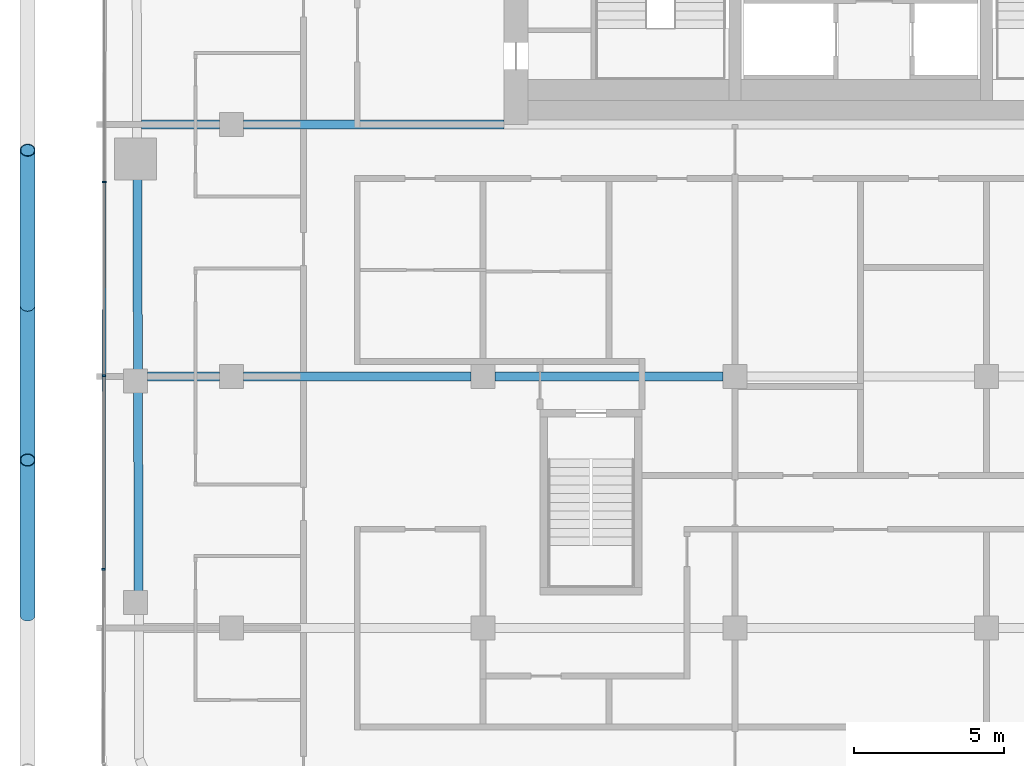
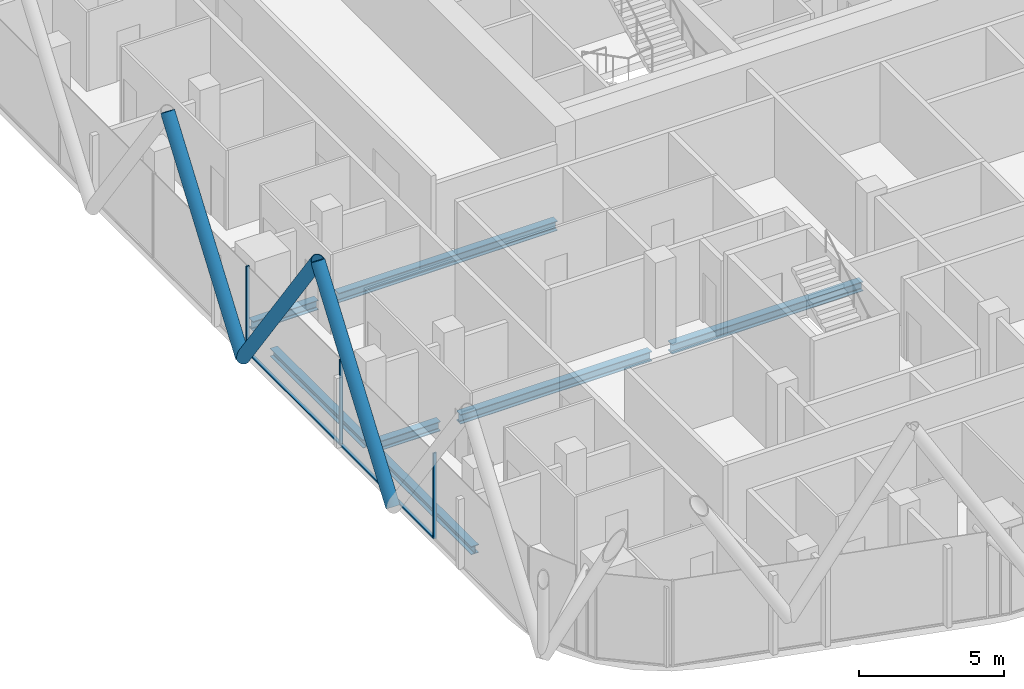
# One storey, part 4 of 28: 8 members, 7 beams, 1 element without a shape of its own.
"""IFC4 building model written with IfcOpenShell, lengths in metres."""

from ifc_helpers import new_model, si_unit, direction, frame, origin, origin_2d, place, context, subcontext, project, spatial, rectangle, hollow_circle, i_section, extrude, material, layer, layer_set, material_profile, profile_set, type_object, element, aggregate, save


model = new_model("IFC4")

# Units and contexts
model_context = context("Model", 3, precision=1e-05, world=origin(), true_north=direction((0.0, 1.0)))
body_context = subcontext(model_context, "Body", "Model", "MODEL_VIEW")
ifc_project = project(units=[si_unit("LENGTHUNIT", "METRE"), si_unit("AREAUNIT", "SQUARE_METRE"), si_unit("VOLUMEUNIT", "CUBIC_METRE"), si_unit("PLANEANGLEUNIT", "RADIAN"), si_unit("MASSUNIT", "GRAM", prefix="KILO")], contexts=[model_context])

# Site, building, storey
site_placement = place(None, origin())
site = spatial("IfcSite", under=ifc_project, at=site_placement, CompositionType="ELEMENT")
building_placement = place(site_placement, origin())
building = spatial("IfcBuilding", under=site, at=building_placement, Name="Marenta Gate Hotel Tower", CompositionType="ELEMENT")
storey_placement = place(building_placement, frame((0.0, 0.0, 241.699951171875)))
storey = spatial("IfcBuildingStorey", under=building, at=storey_placement, Name="L57", CompositionType="ELEMENT", Elevation=241.699951171875)

# Members
ifc_material_1 = material(Name="Steel S355J2W", Category="steel")
ifc_material_profile_1 = material_profile(ifc_material_1, hollow_circle(Radius=0.25390625, WallThickness=0.02490234375, at=origin_2d()), Name="CHS 508x25")
ifc_profile_set_1 = profile_set([ifc_material_profile_1], Name="Steel S355J2W")
member_type_1 = type_object("IfcMemberType", Name="Diagrid diagonal Z3 CHS 508x25", PredefinedType="BRACE", material=ifc_profile_set_1)
member_1_placement = place(storey_placement, frame((-27.800048828125, -16.360107421875, 3.14013671875), z_axis=(0.0, 0.583260841117, 0.812284919975), x_axis=(-1.0, 0.0, 0.0)))
element("IfcMember", 1, at=member_1_placement, inside=storey, type_object=member_type_1, Name="L57-DG-27", PredefinedType="BRACE", context=body_context, shape_type="SweptSolid", body=[
    extrude(hollow_circle(Radius=0.25390625, WallThickness=0.02490234375, at=origin_2d()), origin(), (0.0, 0.0, 1.0), 8.86376953125),
])
member_2_placement = place(storey_placement, frame((-27.800048828125, -6.02001953125, 3.14013671875), z_axis=(0.0, -0.583279014058, 0.812271870595), x_axis=(1.0, 0.0, 0.0)))
element("IfcMember", 2, at=member_2_placement, inside=storey, type_object=member_type_1, Name="L57-DG-28", PredefinedType="BRACE", context=body_context, shape_type="SweptSolid", body=[
    extrude(hollow_circle(Radius=0.25390625, WallThickness=0.02490234375, at=origin_2d()), origin(), (0.0, 0.0, 1.0), 8.864013671875),
])
member_3_placement = place(storey_placement, frame((-27.800048828125, -6.02001953125, 3.14013671875), z_axis=(0.0, 0.583260841117, 0.812284919975), x_axis=(-1.0, 0.0, 0.0)))
element("IfcMember", 3, at=member_3_placement, inside=storey, type_object=member_type_1, Name="L57-DG-29", PredefinedType="BRACE", context=body_context, shape_type="SweptSolid", body=[
    extrude(hollow_circle(Radius=0.25390625, WallThickness=0.02490234375, at=origin_2d()), origin(), (0.0, 0.0, 1.0), 8.86376953125),
])

# Beams
ifc_material_2 = material(Name="Steel S355", Category="steel")
ifc_material_profile_2 = material_profile(ifc_material_2, i_section(OverallWidth=0.300048828125, OverallDepth=0.340087890625, WebThickness=0.011962890625, FlangeThickness=0.021484375, FilletRadius=0.027099609375, at=origin_2d()), Name="HEB 340")
ifc_profile_set_2 = profile_set([ifc_material_profile_2], Name="Steel S355")
beam_type_1 = type_object("IfcBeamType", Name="Edge beam HEB 340", PredefinedType="SPANDREL", material=ifc_profile_set_2)
beam_1_placement = place(storey_placement, frame((-24.09375, -15.591796875, -0.429931640625), z_axis=(-0.00332539729, 0.999994470851, 0.0), x_axis=(-0.999994470851, -0.00332539729, 0.0)))
element("IfcBeam", 4, at=beam_1_placement, inside=storey, type_object=beam_type_1, Name="L57-EB-6", PredefinedType="SPANDREL", context=body_context, shape_type="SweptSolid", body=[
    extrude(i_section(OverallWidth=0.300048828125, OverallDepth=0.340087890625, WebThickness=0.011962890625, FlangeThickness=0.021484375, FilletRadius=0.027099609375, at=origin_2d()), origin(), (0.0, 0.0, 1.0), 6.680908203125),
])
beam_2_placement = place(storey_placement, frame((-24.118408203125, -8.19091796875, -0.429931640625), z_axis=(-0.003328723523, 0.999994459785, 0.0), x_axis=(-0.999994459785, -0.003328723523, 0.0)))
element("IfcBeam", 5, at=beam_2_placement, inside=storey, type_object=beam_type_1, Name="L57-EB-7", PredefinedType="SPANDREL", context=body_context, shape_type="SweptSolid", body=[
    extrude(i_section(OverallWidth=0.300048828125, OverallDepth=0.340087890625, WebThickness=0.011962890625, FlangeThickness=0.021484375, FilletRadius=0.027099609375, at=origin_2d()), origin(), (0.0, 0.0, 1.0), 6.380859375),
])
ifc_material_3 = material(Name="Steel S355", Category="steel")
ifc_material_profile_3 = material_profile(ifc_material_3, i_section(OverallWidth=0.300048828125, OverallDepth=0.39990234375, WebThickness=0.013427734375, FlangeThickness=0.02392578125, FilletRadius=0.027099609375, at=origin_2d()), Name="HEB 400")
ifc_profile_set_3 = profile_set([ifc_material_profile_3], Name="Steel S355")
beam_type_2 = type_object("IfcBeamType", Name="Girder HEB 400", PredefinedType="BEAM", material=ifc_profile_set_3)
beam_3_placement = place(storey_placement, frame((-23.800048828125, -8.39990234375, -0.4599609375), z_axis=(1.0, 0.0, 0.0), x_axis=(0.0, 1.0, 0.0)))
element("IfcBeam", 6, at=beam_3_placement, inside=storey, type_object=beam_type_2, Name="L57-GD-13", PredefinedType="BEAM", context=body_context, shape_type="SweptSolid", body=[
    extrude(i_section(OverallWidth=0.300048828125, OverallDepth=0.39990234375, WebThickness=0.013427734375, FlangeThickness=0.02392578125, FilletRadius=0.027099609375, at=origin_2d()), origin(), (0.0, 0.0, 1.0), 2.400146484375),
])
beam_4_placement = place(storey_placement, frame((-20.60009765625, -8.39990234375, -0.4599609375), z_axis=(1.0, 0.0, 0.0), x_axis=(0.0, 1.0, 0.0)))
element("IfcBeam", 7, at=beam_4_placement, inside=storey, type_object=beam_type_2, Name="L57-GD-14", PredefinedType="BEAM", context=body_context, shape_type="SweptSolid", body=[
    extrude(i_section(OverallWidth=0.300048828125, OverallDepth=0.39990234375, WebThickness=0.013427734375, FlangeThickness=0.02392578125, FilletRadius=0.027099609375, at=origin_2d()), origin(), (0.0, 0.0, 1.0), 7.60009765625),
])
beam_5_placement = place(storey_placement, frame((-12.199951171875, -8.39990234375, -0.4599609375), z_axis=(1.0, 0.0, 0.0), x_axis=(0.0, 1.0, 0.0)))
element("IfcBeam", 8, at=beam_5_placement, inside=storey, type_object=beam_type_2, Name="L57-GD-15", PredefinedType="BEAM", context=body_context, shape_type="SweptSolid", body=[
    extrude(i_section(OverallWidth=0.300048828125, OverallDepth=0.39990234375, WebThickness=0.013427734375, FlangeThickness=0.02392578125, FilletRadius=0.027099609375, at=origin_2d()), origin(), (0.0, 0.0, 1.0), 7.599853515625),
])
beam_6_placement = place(storey_placement, frame((-23.99560546875, 0.0, -0.4599609375), z_axis=(1.0, 0.0, 0.0), x_axis=(0.0, 1.0, 0.0)))
element("IfcBeam", 9, at=beam_6_placement, inside=storey, type_object=beam_type_2, Name="L57-GD-20", PredefinedType="BEAM", context=body_context, shape_type="SweptSolid", body=[
    extrude(i_section(OverallWidth=0.300048828125, OverallDepth=0.39990234375, WebThickness=0.013427734375, FlangeThickness=0.02392578125, FilletRadius=0.027099609375, at=origin_2d()), origin(), (0.0, 0.0, 1.0), 2.595703125),
])
beam_7_placement = place(storey_placement, frame((-20.60009765625, 0.0, -0.4599609375), z_axis=(1.0, 0.0, 0.0), x_axis=(0.0, 1.0, 0.0)))
element("IfcBeam", 10, at=beam_7_placement, inside=storey, type_object=beam_type_2, Name="L57-GD-21", PredefinedType="BEAM", context=body_context, shape_type="SweptSolid", body=[
    extrude(i_section(OverallWidth=0.300048828125, OverallDepth=0.39990234375, WebThickness=0.013427734375, FlangeThickness=0.02392578125, FilletRadius=0.027099609375, at=origin_2d()), origin(), (0.0, 0.0, 1.0), 8.7001953125),
])

# Curtain wall, members
ifc_material_4 = material(Name="Tinted insulated glass in bronze anodised frame", Category="glass")
ifc_layer = layer(ifc_material_4, 0.1201171875)
ifc_layer_set = layer_set([ifc_layer], Name="Tinted insulated glass in bronze anodised frame")
curtain_wall_type = type_object("IfcCurtainWallType", Name="Tower unitised curtain wall CW1", PredefinedType="NOTDEFINED", material=ifc_layer_set)
curtain_wall_placement = place(storey_placement, origin())
curtain_wall = element("IfcCurtainWall", 11, at=curtain_wall_placement, inside=storey, type_object=curtain_wall_type, Name="CW1 run G04", PredefinedType="NOTDEFINED")
ifc_material_5 = material(Name="Bronze anodised aluminium", Category="aluminium")
ifc_material_profile_4 = material_profile(ifc_material_5, rectangle(XDim=0.1201171875, YDim=0.06005859375, at=origin_2d()), Name="Mullion CW1 60x120 bronze anodised aluminium")
ifc_profile_set_4 = profile_set([ifc_material_profile_4], Name="Bronze anodised aluminium")
member_type_2 = type_object("IfcMemberType", Name="Mullion CW1 60x120 bronze anodised aluminium", PredefinedType="MULLION", material=ifc_profile_set_4)
member_4_placement = place(storey_placement, frame((-25.24267578125, -1.913818359375, 0.0), z_axis=(0.0, 0.0, 1.0), x_axis=(0.99999877375, -0.001566045546, 0.0)))
member_4 = element("IfcMember", 12, at=member_4_placement, type_object=member_type_2, Name="CW1 mullion 4", PredefinedType="MULLION", context=body_context, shape_type="SweptSolid", body=[
    extrude(rectangle(XDim=0.1201171875, YDim=0.06005859375, at=origin_2d()), origin(), (0.0, 0.0, 1.0), 3.60009765625),
])
member_5_placement = place(storey_placement, frame((-25.252685546875, -8.373779296875, 0.0), z_axis=(0.0, 0.0, 1.0), x_axis=(0.99999877375, -0.001566045546, 0.0)))
member_5 = element("IfcMember", 13, at=member_5_placement, type_object=member_type_2, Name="CW1 mullion 5", PredefinedType="MULLION", context=body_context, shape_type="SweptSolid", body=[
    extrude(rectangle(XDim=0.1201171875, YDim=0.06005859375, at=origin_2d()), origin(), (0.0, 0.0, 1.0), 3.60009765625),
])
member_6_placement = place(storey_placement, frame((-25.262939453125, -14.833740234375, 0.0), z_axis=(0.0, 0.0, 1.0), x_axis=(0.99999877375, -0.001566045546, 0.0)))
member_6 = element("IfcMember", 14, at=member_6_placement, type_object=member_type_2, Name="CW1 mullion 6", PredefinedType="MULLION", context=body_context, shape_type="SweptSolid", body=[
    extrude(rectangle(XDim=0.1201171875, YDim=0.06005859375, at=origin_2d()), origin(), (0.0, 0.0, 1.0), 3.60009765625),
])
ifc_material_6 = material(Name="Bronze anodised aluminium", Category="aluminium")
ifc_material_profile_5 = material_profile(ifc_material_6, rectangle(XDim=0.1201171875, YDim=0.06005859375, at=origin_2d()), Name="Transom CW1 60x120 bronze anodised aluminium")
ifc_profile_set_5 = profile_set([ifc_material_profile_5], Name="Bronze anodised aluminium")
member_type_3 = type_object("IfcMemberType", Name="Transom CW1 60x120 bronze anodised aluminium", PredefinedType="USERDEFINED", material=ifc_profile_set_5)
member_7_placement = place(storey_placement, frame((-25.24267578125, -1.94384765625, 0.030029296875), z_axis=(-0.001564047831, -0.999998776876, 0.0), x_axis=(0.999998776876, -0.001564047831, 0.0)))
member_7 = element("IfcMember", 15, at=member_7_placement, type_object=member_type_3, Name="CW1 transom 4.1", ObjectType="TRANSOM", PredefinedType="USERDEFINED", context=body_context, shape_type="SweptSolid", body=[
    extrude(rectangle(XDim=0.1201171875, YDim=0.06005859375, at=origin_2d()), origin(), (0.0, 0.0, 1.0), 6.39990234375),
])
member_8_placement = place(storey_placement, frame((-25.2529296875, -8.40380859375, 0.030029296875), z_axis=(-0.001564047831, -0.999998776876, 0.0), x_axis=(0.999998776876, -0.001564047831, 0.0)))
member_8 = element("IfcMember", 16, at=member_8_placement, type_object=member_type_3, Name="CW1 transom 5.1", ObjectType="TRANSOM", PredefinedType="USERDEFINED", context=body_context, shape_type="SweptSolid", body=[
    extrude(rectangle(XDim=0.1201171875, YDim=0.06005859375, at=origin_2d()), origin(), (0.0, 0.0, 1.0), 6.39990234375),
])
aggregate(curtain_wall, [member_4, member_5, member_6, member_7, member_8])

save(model, "model.ifc")
